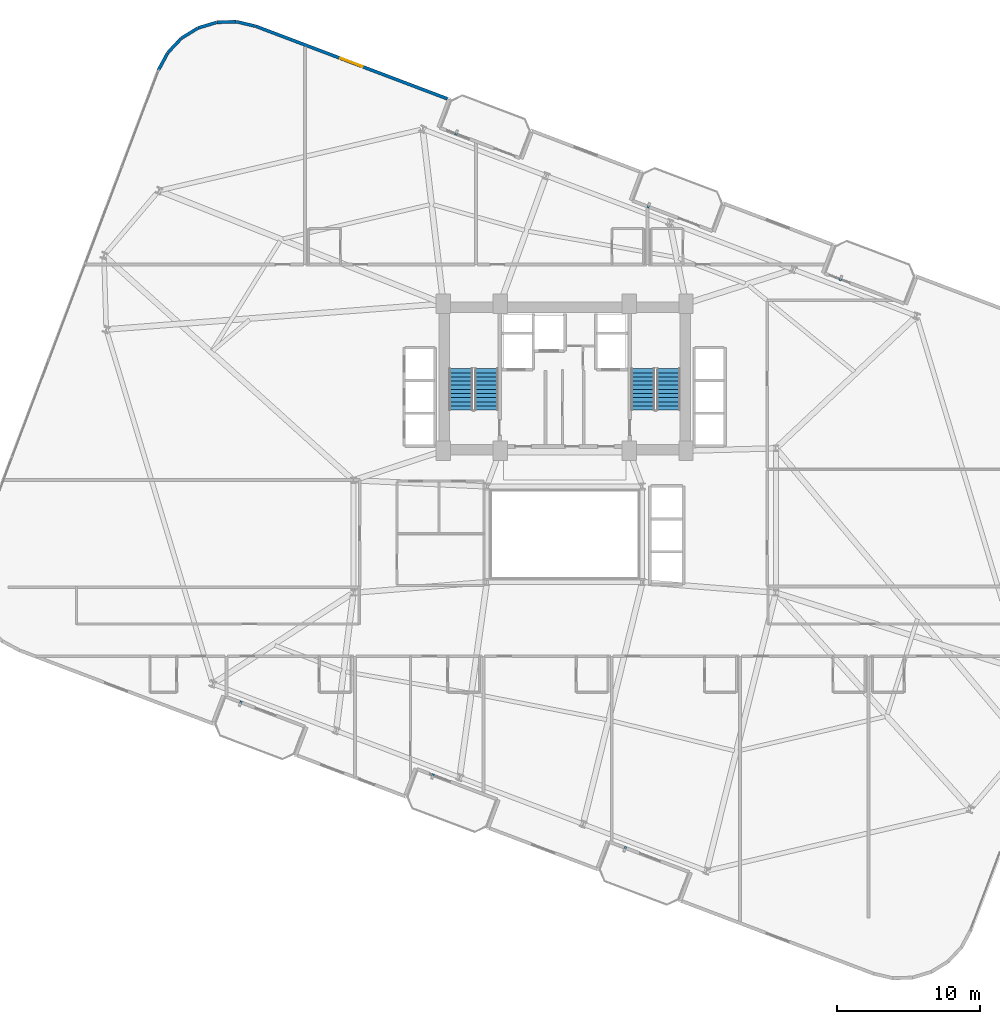
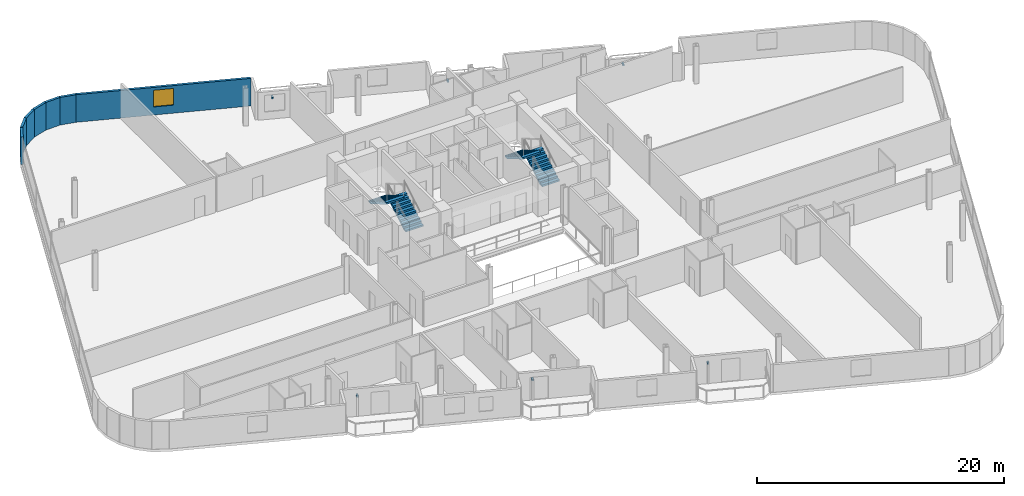
# One storey, part 23 of 26: 7 walls, 6 discrete accessories, 4 stair flights, 1 window, 1 opening, 2 elements without a shape of their own.
"""IFC4 building model written with IfcOpenShell, lengths in metres."""

import ifcopenshell
import ifcopenshell.guid

model = None  # the IFC model being written
_history = None  # IfcOwnerHistory: only IFC2X3 demands one
_inside = {}  # id of a spatial element -> (the spatial element, [elements in it])
_under = {}  # id of a project, library or spatial element -> (it, [spatial elements below it])
_declared = {}  # id of a project -> (the project, [libraries it declares])
_typed = {}  # id of a type object -> (the type object, [elements of that type])
_made_of = {}  # id of a material, layer set ... -> (it, [elements and type objects made of it])


def new_model(schema):
    """Start an empty IFC model of exactly this schema.

    Asked for "IFC4X3", IfcOpenShell would pick the latest addendum, in which some entities
    have other attributes; the version numbers below select the first issue.
    IFC2X3 requires an IfcOwnerHistory on every rooted entity: one is made here for all.
    """
    global model, _history
    if schema == "IFC4X3":
        model = ifcopenshell.file(schema_version=(4, 3, 0, 0))
    else:
        model = ifcopenshell.file(schema=schema)
    _inside.clear()
    _under.clear()
    _declared.clear()
    _typed.clear()
    _made_of.clear()
    _history = None
    if model.schema == "IFC2X3":
        org = make("IfcOrganization", Name="unknown")
        user = make(
            "IfcPersonAndOrganization",
            ThePerson=make("IfcPerson", FamilyName="unknown"),
            TheOrganization=org,
        )
        app = make(
            "IfcApplication",
            ApplicationDeveloper=org,
            Version="unknown",
            ApplicationFullName="unknown",
            ApplicationIdentifier="unknown",
        )
        _history = make(
            "IfcOwnerHistory",
            OwningUser=user,
            OwningApplication=app,
            ChangeAction="ADDED",
            CreationDate=0,
        )
    return model


def make(cls, **values):
    """One entity of the class cls with the attributes given. An attribute that is None is left unset."""
    return model.create_entity(
        cls, **{name: value for name, value in values.items() if value is not None}
    )


def rooted(cls, **values):
    """An entity with a GlobalId (a new one), such as an element, a storey or a relation."""
    return make(cls, GlobalId=ifcopenshell.guid.new(), OwnerHistory=_history, **values)


def si_unit(unit_type, name, prefix=None):
    """IfcSIUnit, for example si_unit("LENGTHUNIT", "METRE", prefix="MILLI")."""
    return make("IfcSIUnit", UnitType=unit_type, Prefix=prefix, Name=name)


def assignment(units):
    """IfcUnitAssignment: the units of a project."""
    return None if units is None else make("IfcUnitAssignment", Units=units)


def point(xyz):
    """IfcCartesianPoint."""
    return None if xyz is None else make("IfcCartesianPoint", Coordinates=xyz)


def direction(xyz):
    """IfcDirection."""
    return None if xyz is None else make("IfcDirection", DirectionRatios=xyz)


def frame(location, z_axis=None, x_axis=None):
    """IfcAxis2Placement3D, a coordinate frame: its origin and axes. An axis left out is left unset."""
    return make(
        "IfcAxis2Placement3D",
        Location=point(location),
        Axis=direction(z_axis),
        RefDirection=direction(x_axis),
    )


def frame_2d(location, x_axis=None):
    """IfcAxis2Placement2D, a coordinate frame in the plane: its origin and x axis."""
    return make(
        "IfcAxis2Placement2D", Location=point(location), RefDirection=direction(x_axis)
    )


def origin():
    """The frame at (0, 0, 0) with its axes left unset."""
    return frame((0.0, 0.0, 0.0))


def origin_2d():
    """The frame at (0, 0) in the plane with its x axis left unset."""
    return frame_2d((0.0, 0.0))


def place(relative_to, where):
    """IfcLocalPlacement: puts the frame where relative to a parent placement (None: the world)."""
    return make(
        "IfcLocalPlacement", PlacementRelTo=relative_to, RelativePlacement=where
    )


def context(
    kind, dimensions, precision=None, world=None, true_north=None, identifier=None
):
    """IfcGeometricRepresentationContext, for example the 3D "Model" context."""
    return make(
        "IfcGeometricRepresentationContext",
        ContextIdentifier=identifier,
        ContextType=kind,
        CoordinateSpaceDimension=dimensions,
        Precision=precision,
        WorldCoordinateSystem=world,
        TrueNorth=true_north,
    )


def subcontext(parent, identifier, kind, view, scale=None):
    """IfcGeometricRepresentationSubContext, for example "Body" below "Model"."""
    return make(
        "IfcGeometricRepresentationSubContext",
        ContextIdentifier=identifier,
        ContextType=kind,
        ParentContext=parent,
        TargetScale=scale,
        TargetView=view,
    )


def project(units=None, contexts=None):
    """IfcProject with its units and contexts."""
    return rooted(
        "IfcProject",
        Name="project",
        RepresentationContexts=contexts,
        UnitsInContext=assignment(units),
    )


def spatial(cls, under=None, at=None, **own):
    """A site, building, storey or space (cls), placed at a placement, below another one or the project."""
    s = rooted(cls, ObjectPlacement=at, **own)
    if under is not None:
        _under.setdefault(under.id(), (under, []))[1].append(s)
    return s


def polyline(points):
    """IfcPolyline through the points."""
    return make("IfcPolyline", Points=[point(p) for p in points])


def profile(cls, at=None, kind="AREA", **sizes):
    """A parametric profile (cls). Its sizes go by their IFC names, for example OverallWidth=200.0."""
    return make(cls, ProfileType=kind, Position=at, **sizes)


def rectangle(**sizes):
    """IfcRectangleProfileDef."""
    return profile("IfcRectangleProfileDef", **sizes)


def outline(outer, holes=None, kind="AREA"):
    """IfcArbitraryClosedProfileDef: a profile drawn as a closed curve; with holes, ...WithVoids."""
    if holes is None:
        return make("IfcArbitraryClosedProfileDef", ProfileType=kind, OuterCurve=outer)
    return make(
        "IfcArbitraryProfileDefWithVoids",
        ProfileType=kind,
        OuterCurve=outer,
        InnerCurves=holes,
    )


def extrude(swept, where, along, depth):
    """IfcExtrudedAreaSolid: the profile swept, set in the frame where, extruded along a direction by depth."""
    return make(
        "IfcExtrudedAreaSolid",
        SweptArea=swept,
        Position=where,
        ExtrudedDirection=direction(along),
        Depth=depth,
    )


def shape(context_of_items, identifier, shape_type, items):
    """IfcShapeRepresentation: the items that make up one representation, for example the "Body"."""
    return make(
        "IfcShapeRepresentation",
        ContextOfItems=context_of_items,
        RepresentationIdentifier=identifier,
        RepresentationType=shape_type,
        Items=items,
    )


def source(mapping_origin, context_of_items, identifier, shape_type, items):
    """IfcRepresentationMap: a shape defined once, which mapped items show again and again."""
    return make(
        "IfcRepresentationMap",
        MappingOrigin=mapping_origin,
        MappedRepresentation=shape(context_of_items, identifier, shape_type, items),
    )


def transform(
    local_origin,
    x_axis=None,
    y_axis=None,
    z_axis=None,
    scale=None,
    scale2=None,
    scale3=None,
    uniform=True,
):
    """IfcCartesianTransformationOperator3D, or its non-uniform kind. x_axis, y_axis, z_axis: its Axis1, 2, 3."""
    if uniform:
        return make(
            "IfcCartesianTransformationOperator3D",
            Axis1=direction(x_axis),
            Axis2=direction(y_axis),
            LocalOrigin=point(local_origin),
            Scale=scale,
            Axis3=direction(z_axis),
        )
    return make(
        "IfcCartesianTransformationOperator3DnonUniform",
        Axis1=direction(x_axis),
        Axis2=direction(y_axis),
        LocalOrigin=point(local_origin),
        Scale=scale,
        Axis3=direction(z_axis),
        Scale2=scale2,
        Scale3=scale3,
    )


def mapped(mapping_source, mapping_target):
    """IfcMappedItem: shows the shape of a source again, moved by a transform."""
    return make(
        "IfcMappedItem", MappingSource=mapping_source, MappingTarget=mapping_target
    )


def material(Name=None, Category=None):
    """IfcMaterial."""
    return make("IfcMaterial", Name=Name, Category=Category)


def layer(
    of_material, thickness, ventilated=None, Name=None, Category=None, Priority=None
):
    """IfcMaterialLayer: one layer of a wall or slab, of a material (None: an air gap)."""
    return make(
        "IfcMaterialLayer",
        Material=of_material,
        LayerThickness=thickness,
        IsVentilated=ventilated,
        Name=Name,
        Category=Category,
        Priority=Priority,
    )


def layer_set(layers, Name=None):
    """IfcMaterialLayerSet."""
    return make("IfcMaterialLayerSet", MaterialLayers=layers, LayerSetName=Name)


def made_of(thing, what):
    """Note that an element or type object is made of a material, layer set ...; save() writes the relation."""
    if what is not None:
        _made_of.setdefault(what.id(), (what, []))[1].append(thing)
    return thing


def type_object(cls, material=None, **own):
    """A type object (cls), such as IfcWallType, which elements share."""
    return made_of(rooted(cls, **own), material)


def element(
    cls,
    number,
    at=None,
    inside=None,
    cuts=None,
    type_object=None,
    material=None,
    context=None,
    identifier="Body",
    shape_type=None,
    held_by="IfcProductDefinitionShape",
    body=None,
    shapes=None,
    **own,
):
    """One element of the class cls, such as IfcWall. Its Tag is "e" and its number.

    at: its placement. inside: the storey or other place that contains it. cuts: it is an
    opening in that element (IfcRelVoidsElement). A single representation is given by context,
    identifier, shape_type and body (its items); several are given by shapes. held_by: the class
    of the entity that holds the representations. save() writes the other relations.
    """
    e = rooted(cls, Tag="e%d" % number, ObjectPlacement=at, **own)
    if body is not None:
        shapes = [shape(context, identifier, shape_type, body)]
    if shapes is not None:
        e.Representation = make(held_by, Representations=shapes)
    if inside is not None:
        _inside.setdefault(inside.id(), (inside, []))[1].append(e)
    if cuts is not None:
        rooted(
            "IfcRelVoidsElement", RelatingBuildingElement=cuts, RelatedOpeningElement=e
        )
    if type_object is not None:
        _typed.setdefault(type_object.id(), (type_object, []))[1].append(e)
    return made_of(e, material)


def fill(opening, filler):
    """IfcRelFillsElement: the door or window that sits in an opening."""
    return rooted(
        "IfcRelFillsElement",
        RelatingOpeningElement=opening,
        RelatedBuildingElement=filler,
    )


def aggregate(whole, parts):
    """IfcRelAggregates: a whole, such as a stair, and the parts it consists of."""
    return rooted("IfcRelAggregates", RelatingObject=whole, RelatedObjects=parts)


def save(model, path):
    """Write the relations noted so far, then the file.

    IfcRelAggregates (storeys below a building ...), IfcRelContainedInSpatialStructure (elements
    in a storey), IfcRelDefinesByType, IfcRelAssociatesMaterial and IfcRelDeclares: one each for
    every whole, place, type object, material and project.
    """
    for whole, parts in _under.values():
        aggregate(whole, parts)
    for where, things in _inside.values():
        rooted(
            "IfcRelContainedInSpatialStructure",
            RelatedElements=things,
            RelatingStructure=where,
        )
    for kind, things in _typed.values():
        rooted("IfcRelDefinesByType", RelatedObjects=things, RelatingType=kind)
    for what, things in _made_of.values():
        rooted("IfcRelAssociatesMaterial", RelatedObjects=things, RelatingMaterial=what)
    for by, libraries in _declared.values():
        rooted("IfcRelDeclares", RelatingContext=by, RelatedDefinitions=libraries)
    model.write(path)


model = new_model("IFC4")

# Units and contexts
model_context = context("Model", 3, precision=1e-05, world=origin(), true_north=direction((0.0, 1.0)))
body_context = subcontext(model_context, "Body", "Model", "MODEL_VIEW")
ifc_project = project(units=[si_unit("LENGTHUNIT", "METRE"), si_unit("AREAUNIT", "SQUARE_METRE"), si_unit("VOLUMEUNIT", "CUBIC_METRE"), si_unit("PLANEANGLEUNIT", "RADIAN"), si_unit("MASSUNIT", "GRAM", prefix="KILO")], contexts=[model_context])

# Site, building, storey
site_placement = place(None, origin())
site = spatial("IfcSite", under=ifc_project, at=site_placement, CompositionType="ELEMENT")
building_placement = place(site_placement, origin())
building = spatial("IfcBuilding", under=site, at=building_placement, Name="Varnelok Gate Tower", CompositionType="ELEMENT")
storey_placement = place(building_placement, frame((0.0, 0.0, 109.5)))
storey = spatial("IfcBuildingStorey", under=building, at=storey_placement, Name="L27", CompositionType="ELEMENT", Elevation=109.5)

# Wall, opening, window
ifc_material_1 = material(Name="Concrete C45/55", Category="concrete")
ifc_layer = layer(ifc_material_1, 0.219970703125)
ifc_layer_set = layer_set([ifc_layer], Name="Concrete C45/55")
wall_type = type_object("IfcWallType", Name="EW-BALC-220", PredefinedType="SOLIDWALL", material=ifc_layer_set)
wall_1_placement = place(storey_placement, frame((30.97607421875, 53.412841796875, 0.0), z_axis=(0.0, 0.0, 1.0), x_axis=(-0.935220327379, 0.354066292178, 0.0)))
wall_1 = element("IfcWall", 1, at=wall_1_placement, inside=storey, type_object=wall_type, Name="L27 Perimeter Facade Closure Wall 38", PredefinedType="SOLIDWALL", context=body_context, shape_type="SweptSolid", body=[
    extrude(rectangle(XDim=14.34716796875, YDim=0.219970703125, at=frame_2d((7.173583984375, 0.0))), origin(), (0.0, 0.0, 1.0), 2.72998046875),
])
opening_placement = place(wall_1_placement, frame((6.348388671875, 0.0, 0.800048828125)))
opening = element("IfcOpeningElement", 2, at=opening_placement, cuts=wall_1, Name="Opening WN3", PredefinedType="OPENING", context=body_context, shape_type="SweptSolid", body=[
    extrude(rectangle(XDim=1.64990234375, YDim=1.64990234375, at=frame_2d((0.824951171875, 0.824951171875))), frame((0.0, 0.119873046875, 0.0), z_axis=(0.0, -1.0, 0.0), x_axis=(1.0, 0.0, 0.0)), (0.0, 0.0, 1.0), 0.239990234375),
])
ifc_material_2 = material(Name="Low-E Laminated Double Glazing IGU", Category="glass")
window_type = type_object("IfcWindowType", Name="WN-HTL-1650", PartitioningType="SINGLE_PANEL", PredefinedType="WINDOW", material=ifc_material_2)
window_placement = place(opening_placement, origin())
window = element("IfcWindow", 3, at=window_placement, inside=storey, type_object=window_type, Name="L27 Perimeter Vision Window 38", OverallHeight=1.64990234375, OverallWidth=1.64990234375, PartitioningType="SINGLE_PANEL", PredefinedType="WINDOW", context=body_context, shape_type="SweptSolid", body=[
    extrude(rectangle(XDim=1.64990234375, YDim=1.64990234375, at=frame_2d((0.824951171875, 0.824951171875))), frame((0.0, 0.030029296875, 0.0), z_axis=(0.0, -1.0, 0.0), x_axis=(1.0, 0.0, 0.0)), (0.0, 0.0, 1.0), 0.06005859375),
])
fill(opening, window)

# Walls
wall_2_placement = place(storey_placement, frame((17.533935546875, 58.498291015625, 0.0), z_axis=(0.0, 0.0, 1.0), x_axis=(-0.973414815952, 0.229049331117, 0.0)))
element("IfcWall", 4, at=wall_2_placement, inside=storey, type_object=wall_type, Name="L27 Perimeter Facade Closure Wall 39", PredefinedType="SOLIDWALL", context=body_context, shape_type="SweptSolid", body=[
    extrude(rectangle(XDim=1.361083984375, YDim=0.219970703125, at=frame_2d((0.6806640625, 0.0))), origin(), (0.0, 0.0, 1.0), 2.72998046875),
])
wall_3_placement = place(storey_placement, frame((16.18408203125, 58.809326171875, 0.0), z_axis=(0.0, 0.0, 1.0), x_axis=(-0.999523971993, -0.03085173271, 0.0)))
element("IfcWall", 5, at=wall_3_placement, inside=storey, type_object=wall_type, Name="L27 Perimeter Facade Closure Wall 40", PredefinedType="SOLIDWALL", context=body_context, shape_type="SweptSolid", body=[
    extrude(rectangle(XDim=1.353271484375, YDim=0.219970703125, at=frame_2d((0.6767578125, 0.0))), origin(), (0.0, 0.0, 1.0), 2.72998046875),
])
for number, where, z_axis, x_axis, name in (
    (6, (14.8076171875, 58.76025390625, 0.0), (0.0, 0.0, 1.0), (-0.957532798303, -0.28832436625, 0.0), "L27 Perimeter Facade Closure Wall 41"),
    (7, (13.49072265625, 58.35693359375, 0.0), (0.0, 0.0, 1.0), (-0.850261301096, -0.526360826676, 0.0), "L27 Perimeter Facade Closure Wall 42"),
    (8, (12.3232421875, 57.62646484375, 0.0), (0.0, 0.0, 1.0), (-0.684936830459, -0.728602455583, 0.0), "L27 Perimeter Facade Closure Wall 43"),
    (9, (11.384521484375, 56.61865234375, 0.0), (0.0, 0.0, 1.0), (-0.473077364598, -0.881020889142, 0.0), "L27 Perimeter Facade Closure Wall 44"),
):
    element("IfcWall", number, at=place(storey_placement, frame(where, z_axis=z_axis, x_axis=x_axis)), inside=storey, type_object=wall_type, Name=name, PredefinedType="SOLIDWALL", context=body_context, shape_type="SweptSolid", body=[
        extrude(rectangle(XDim=1.35302734375, YDim=0.219970703125, at=frame_2d((0.676513671875, 0.0))), origin(), (0.0, 0.0, 1.0), 2.72998046875),
    ])

# Stair, stair flights
ifc_material_3 = material(Name="Concrete C50/60", Category="concrete")
stair_type = type_object("IfcStairType", Name="STR-CORE-1650", PredefinedType="HALF_TURN_STAIR", material=ifc_material_3)
stair_1_placement = place(storey_placement, origin())
stair_1 = element("IfcStair", 10, at=stair_1_placement, inside=storey, type_object=stair_type, Name="L27 Exit Stair ST-1", PredefinedType="HALF_TURN_STAIR")
stair_flight_type = type_object("IfcStairFlightType", Name="SFL-CORE-1650", PredefinedType="STRAIGHT", material=ifc_material_3)
stair_flight_1_placement = place(storey_placement, frame((33.72509765625, 31.60009765625, 0.0), z_axis=(0.0, 0.0, 1.0), x_axis=(0.0, 1.0, 0.0)))
stair_flight_1 = element("IfcStairFlight", 11, at=stair_flight_1_placement, type_object=stair_flight_type, Name="ST-1 flight 1", NumberOfRisers=11, NumberOfTreads=10, PredefinedType="STRAIGHT", RiserHeight=0.168181818, TreadLength=0.29, context=body_context, shape_type="SweptSolid", body=[
    extrude(outline(polyline([(0.0, 0.0), (0.0, 0.168212890625), (0.2900390625, 0.168212890625), (0.2900390625, 0.33642578125), (0.580078125, 0.33642578125), (0.580078125, 0.504638671875), (0.8701171875, 0.504638671875), (0.8701171875, 0.672607421875), (1.159912109375, 0.672607421875), (1.159912109375, 0.8408203125), (1.449951171875, 0.8408203125), (1.449951171875, 1.009033203125), (1.739990234375, 1.009033203125), (1.739990234375, 1.17724609375), (2.030029296875, 1.17724609375), (2.030029296875, 1.345458984375), (2.320068359375, 1.345458984375), (2.320068359375, 1.513671875), (2.610107421875, 1.513671875), (2.610107421875, 1.681884765625), (2.89990234375, 1.681884765625), (2.89990234375, 1.85009765625), (2.89990234375, 1.508544921875), (0.298828125, 0.0), (0.0, 0.0)])), frame((0.0, 0.824951171875, 0.0), z_axis=(0.0, -1.0, 0.0), x_axis=(1.0, 0.0, 0.0)), (0.0, 0.0, 1.0), 1.64990234375),
])
stair_flight_2_placement = place(storey_placement, frame((31.925048828125, 34.5, 1.85009765625), z_axis=(0.0, 0.0, 1.0), x_axis=(0.0, -1.0, 0.0)))
stair_flight_2 = element("IfcStairFlight", 12, at=stair_flight_2_placement, type_object=stair_flight_type, Name="ST-1 flight 2", NumberOfRisers=11, NumberOfTreads=10, PredefinedType="STRAIGHT", RiserHeight=0.168181818, TreadLength=0.29, context=body_context, shape_type="SweptSolid", body=[
    extrude(outline(polyline([(0.0, 0.0), (0.0, 0.168212890625), (0.2900390625, 0.168212890625), (0.2900390625, 0.33642578125), (0.580078125, 0.33642578125), (0.580078125, 0.504638671875), (0.8701171875, 0.504638671875), (0.8701171875, 0.672607421875), (1.159912109375, 0.672607421875), (1.159912109375, 0.8408203125), (1.449951171875, 0.8408203125), (1.449951171875, 1.009033203125), (1.739990234375, 1.009033203125), (1.739990234375, 1.17724609375), (2.030029296875, 1.17724609375), (2.030029296875, 1.345458984375), (2.320068359375, 1.345458984375), (2.320068359375, 1.513671875), (2.610107421875, 1.513671875), (2.610107421875, 1.681884765625), (2.89990234375, 1.681884765625), (2.89990234375, 1.85009765625), (2.89990234375, 1.508544921875), (0.298828125, 0.0), (0.0, 0.0)])), frame((0.0, 0.824951171875, 0.0), z_axis=(0.0, -1.0, 0.0), x_axis=(1.0, 0.0, 0.0)), (0.0, 0.0, 1.0), 1.64990234375),
])
aggregate(stair_1, [stair_flight_1, stair_flight_2])

stair_2_placement = place(storey_placement, origin())
stair_2 = element("IfcStair", 13, at=stair_2_placement, inside=storey, type_object=stair_type, Name="L27 Exit Stair ST-2", PredefinedType="HALF_TURN_STAIR")
stair_flight_3_placement = place(storey_placement, frame((46.47509765625, 31.60009765625, 0.0), z_axis=(0.0, 0.0, 1.0), x_axis=(0.0, 1.0, 0.0)))
stair_flight_3 = element("IfcStairFlight", 14, at=stair_flight_3_placement, type_object=stair_flight_type, Name="ST-2 flight 1", NumberOfRisers=11, NumberOfTreads=10, PredefinedType="STRAIGHT", RiserHeight=0.168181818, TreadLength=0.29, context=body_context, shape_type="SweptSolid", body=[
    extrude(outline(polyline([(0.0, 0.0), (0.0, 0.168212890625), (0.2900390625, 0.168212890625), (0.2900390625, 0.33642578125), (0.580078125, 0.33642578125), (0.580078125, 0.504638671875), (0.8701171875, 0.504638671875), (0.8701171875, 0.672607421875), (1.159912109375, 0.672607421875), (1.159912109375, 0.8408203125), (1.449951171875, 0.8408203125), (1.449951171875, 1.009033203125), (1.739990234375, 1.009033203125), (1.739990234375, 1.17724609375), (2.030029296875, 1.17724609375), (2.030029296875, 1.345458984375), (2.320068359375, 1.345458984375), (2.320068359375, 1.513671875), (2.610107421875, 1.513671875), (2.610107421875, 1.681884765625), (2.89990234375, 1.681884765625), (2.89990234375, 1.85009765625), (2.89990234375, 1.508544921875), (0.298828125, 0.0), (0.0, 0.0)])), frame((0.0, 0.824951171875, 0.0), z_axis=(0.0, -1.0, 0.0), x_axis=(1.0, 0.0, 0.0)), (0.0, 0.0, 1.0), 1.64990234375),
])
stair_flight_4_placement = place(storey_placement, frame((44.675048828125, 34.5, 1.85009765625), z_axis=(0.0, 0.0, 1.0), x_axis=(0.0, -1.0, 0.0)))
stair_flight_4 = element("IfcStairFlight", 15, at=stair_flight_4_placement, type_object=stair_flight_type, Name="ST-2 flight 2", NumberOfRisers=11, NumberOfTreads=10, PredefinedType="STRAIGHT", RiserHeight=0.168181818, TreadLength=0.29, context=body_context, shape_type="SweptSolid", body=[
    extrude(outline(polyline([(0.0, 0.0), (0.0, 0.168212890625), (0.2900390625, 0.168212890625), (0.2900390625, 0.33642578125), (0.580078125, 0.33642578125), (0.580078125, 0.504638671875), (0.8701171875, 0.504638671875), (0.8701171875, 0.672607421875), (1.159912109375, 0.672607421875), (1.159912109375, 0.8408203125), (1.449951171875, 0.8408203125), (1.449951171875, 1.009033203125), (1.739990234375, 1.009033203125), (1.739990234375, 1.17724609375), (2.030029296875, 1.17724609375), (2.030029296875, 1.345458984375), (2.320068359375, 1.345458984375), (2.320068359375, 1.513671875), (2.610107421875, 1.513671875), (2.610107421875, 1.681884765625), (2.89990234375, 1.681884765625), (2.89990234375, 1.85009765625), (2.89990234375, 1.508544921875), (0.298828125, 0.0), (0.0, 0.0)])), frame((0.0, 0.824951171875, 0.0), z_axis=(0.0, -1.0, 0.0), x_axis=(1.0, 0.0, 0.0)), (0.0, 0.0, 1.0), 1.64990234375),
])
aggregate(stair_2, [stair_flight_3, stair_flight_4])

# Discrete accessories
ifc_material_4 = material(Name="Structural Steel ASTM A500 Grade C", Category="steel")
discrete_accessory_type = type_object("IfcDiscreteAccessoryType", Name="ACC-BAGUETTE-BRK", PredefinedType="BRACKET", material=ifc_material_4)
shared_shape = source(origin(), body_context, "Body", "SweptSolid", [
    extrude(rectangle(XDim=0.159912109375, YDim=0.340087890625, at=origin_2d()), origin(), (0.0, 0.0, 1.0), 0.139892578125),
])
for number, where, z_axis, x_axis, name in (
    (16, (16.483154296875, 11.050048828125, 1.97998046875), (0.0, 0.0, 1.0), (0.935221751401, -0.354062530786, 0.0), "L27 Terracotta Baguette Bracket 1.1"),
    (17, (29.9501953125, 5.95166015625, 1.97998046875), (0.0, 0.0, 1.0), (0.935221751401, -0.354062530786, 0.0), "L27 Terracotta Baguette Bracket 2.1"),
    (18, (43.41748046875, 0.85302734375, 1.97998046875), (0.0, 0.0, 1.0), (0.935221751401, -0.354062530786, 0.0), "L27 Terracotta Baguette Bracket 3.1"),
    (19, (31.61572265625, 51.021484375, 1.97998046875), (0.0, 0.0, 1.0), (0.935221751401, -0.354062530786, 0.0), "L27 Terracotta Baguette Bracket 4.1"),
    (20, (45.0830078125, 45.923095703125, 1.97998046875), (0.0, 0.0, 1.0), (0.935221751401, -0.354062530786, 0.0), "L27 Terracotta Baguette Bracket 5.1"),
    (21, (58.550048828125, 40.824462890625, 1.97998046875), (0.0, 0.0, 1.0), (0.935221751401, -0.354062530786, 0.0), "L27 Terracotta Baguette Bracket 6.1"),
):
    element("IfcDiscreteAccessory", number, at=place(storey_placement, frame(where, z_axis=z_axis, x_axis=x_axis)), inside=storey, type_object=discrete_accessory_type, Name=name, PredefinedType="BRACKET", context=body_context, shape_type="MappedRepresentation", body=[
        mapped(shared_shape, transform((0.0, 0.0, 0.0), scale=1.0)),
    ])

save(model, "model.ifc")
